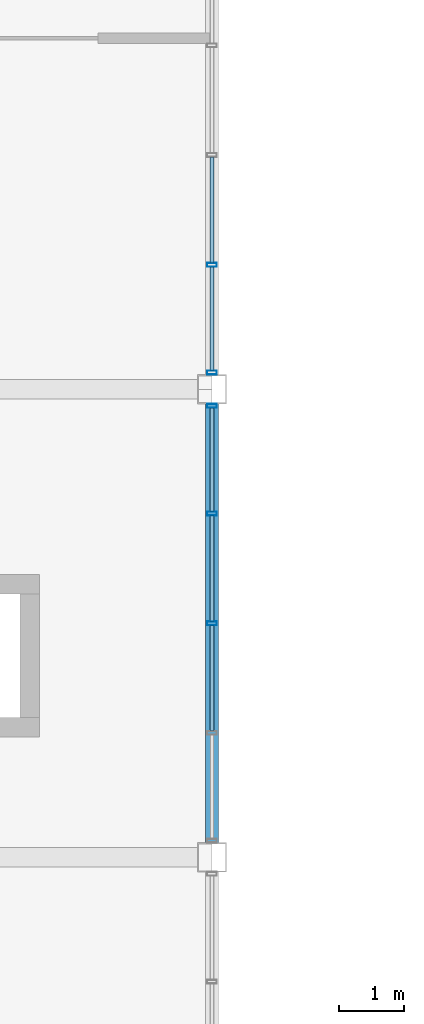
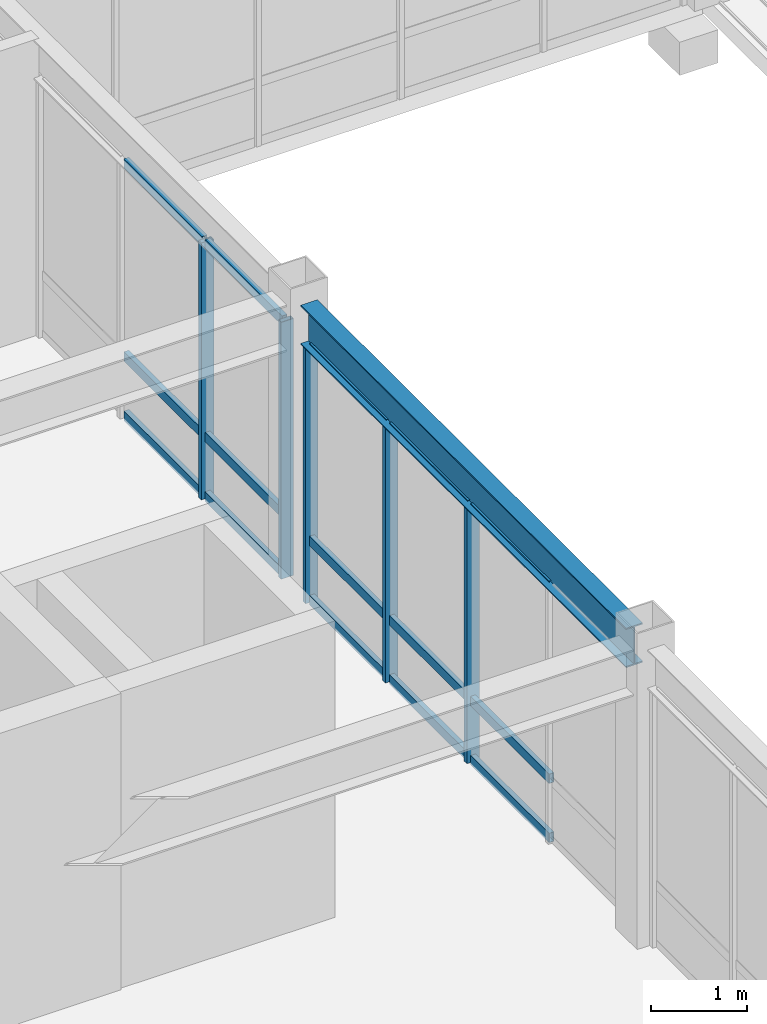
# One storey, part 18 of 122: 20 members, 1 beam, 2 elements without a shape of their own.
"""IFC4 building model written with IfcOpenShell, lengths in metres."""

from ifc_helpers import new_model, si_unit, direction, frame, origin, origin_2d, place, context, subcontext, project, spatial, hollow_rectangle, i_section, extrude, material, material_profile, profile_set, type_object, element, aggregate, save


model = new_model("IFC4")

# Units and contexts
model_context = context("Model", 3, precision=1e-05, world=origin(), true_north=direction((0.0, 1.0)))
body_context = subcontext(model_context, "Body", "Model", "MODEL_VIEW")
ifc_project = project(units=[si_unit("LENGTHUNIT", "METRE"), si_unit("AREAUNIT", "SQUARE_METRE"), si_unit("VOLUMEUNIT", "CUBIC_METRE"), si_unit("PLANEANGLEUNIT", "RADIAN"), si_unit("MASSUNIT", "GRAM", prefix="KILO")], contexts=[model_context])

# Site, building, storey
site_placement = place(None, origin())
site = spatial("IfcSite", under=ifc_project, at=site_placement, CompositionType="ELEMENT")
building_placement = place(site_placement, origin())
building = spatial("IfcBuilding", under=site, at=building_placement, Name="Kazanami Central Library", CompositionType="ELEMENT")
storey_placement = place(building_placement, frame((0.0, 0.0, 4.800048828125)))
storey = spatial("IfcBuildingStorey", under=building, at=storey_placement, Name="L02", CompositionType="ELEMENT", Elevation=4.800048828125)

# Beam
ifc_material_1 = material(Name="Steel SN490B (325 MPa)", Category="steel")
ifc_material_profile_1 = material_profile(ifc_material_1, i_section(OverallWidth=0.199951171875, OverallDepth=0.5, WebThickness=0.010009765625, FlangeThickness=0.01611328125, at=origin_2d()), Name="H-500x200x10x16")
ifc_profile_set_1 = profile_set([ifc_material_profile_1], Name="Steel SN490B (325 MPa)")
beam_type = type_object("IfcBeamType", Name="BM-SP-1", PredefinedType="SPANDREL", material=ifc_profile_set_1)
beam_placement = place(storey_placement, frame((36.0, 7.423095703125, 3.5048828125), z_axis=(0.0, 1.0, 0.0), x_axis=(-1.0, 0.0, 0.0)))
element("IfcBeam", 1, at=beam_placement, inside=storey, type_object=beam_type, Name="Girder SP-1 L02 5/B-C", PredefinedType="SPANDREL", context=body_context, shape_type="SweptSolid", body=[
    extrude(i_section(OverallWidth=0.199951171875, OverallDepth=0.5, WebThickness=0.010009765625, FlangeThickness=0.01611328125, at=origin_2d()), origin(), (0.0, 0.0, 1.0), 6.75390625),
])

# Curtain wall, members
ifc_material_2 = material(Name="Acid-Etched Low-E Laminated Glass", Category="glass")
curtain_wall_type = type_object("IfcCurtainWallType", Name="CW-6750x3255-M180", PredefinedType="USERDEFINED", material=ifc_material_2)
curtain_wall_1_placement = place(storey_placement, origin())
curtain_wall_1 = element("IfcCurtainWall", 2, at=curtain_wall_1_placement, inside=storey, type_object=curtain_wall_type, Name="Covered Link Bridge Curtain Wall CW-21 L02 E-5-01", ObjectType="UNITISED CURTAIN WALL", PredefinedType="USERDEFINED")
ifc_material_3 = material(Name="Anodised Aluminium A6063-T5", Category="aluminium")
ifc_material_profile_2 = material_profile(ifc_material_3, hollow_rectangle(XDim=0.06005859375, YDim=0.14990234375, WallThickness=0.00390625, at=origin_2d()), Name="ALU-MULL-60x150x4")
ifc_profile_set_2 = profile_set([ifc_material_profile_2], Name="Anodised Aluminium A6063-T5")
member_type_1 = type_object("IfcMemberType", Name="MEM-CW-M3", PredefinedType="MULLION", material=ifc_profile_set_2)
member_1_placement = place(storey_placement, frame((36.0, 14.14501953125, 0.0), z_axis=(0.0, 0.0, 1.0), x_axis=(0.0, -1.0, 0.0)))
member_1 = element("IfcMember", 3, at=member_1_placement, type_object=member_type_1, Name="CW-21 mullion 1", PredefinedType="MULLION", context=body_context, shape_type="SweptSolid", body=[
    extrude(hollow_rectangle(XDim=0.06005859375, YDim=0.14990234375, WallThickness=0.00390625, at=origin_2d()), origin(), (0.0, 0.0, 1.0), 3.2548828125),
])
member_2_placement = place(storey_placement, frame((36.0, 12.487548828125, 0.0), z_axis=(0.0, 0.0, 1.0), x_axis=(0.0, -1.0, 0.0)))
member_2 = element("IfcMember", 4, at=member_2_placement, type_object=member_type_1, Name="CW-21 mullion 2", PredefinedType="MULLION", context=body_context, shape_type="SweptSolid", body=[
    extrude(hollow_rectangle(XDim=0.06005859375, YDim=0.14990234375, WallThickness=0.00390625, at=origin_2d()), origin(), (0.0, 0.0, 1.0), 3.2548828125),
])
member_3_placement = place(storey_placement, frame((36.0, 10.800048828125, 0.0), z_axis=(0.0, 0.0, 1.0), x_axis=(0.0, -1.0, 0.0)))
member_3 = element("IfcMember", 5, at=member_3_placement, type_object=member_type_1, Name="CW-21 mullion 3", PredefinedType="MULLION", context=body_context, shape_type="SweptSolid", body=[
    extrude(hollow_rectangle(XDim=0.06005859375, YDim=0.14990234375, WallThickness=0.00390625, at=origin_2d()), origin(), (0.0, 0.0, 1.0), 3.2548828125),
])

curtain_wall_2_placement = place(storey_placement, origin())
curtain_wall_2 = element("IfcCurtainWall", 6, at=curtain_wall_2_placement, inside=storey, type_object=curtain_wall_type, Name="Covered Link Bridge Curtain Wall CW-21 L02 E-5-02", ObjectType="UNITISED CURTAIN WALL", PredefinedType="USERDEFINED")
member_4_placement = place(storey_placement, frame((36.0, 16.3125, 0.0), z_axis=(0.0, 0.0, 1.0), x_axis=(0.0, -1.0, 0.0)))
member_4 = element("IfcMember", 7, at=member_4_placement, type_object=member_type_1, Name="CW-21 mullion 4", PredefinedType="MULLION", context=body_context, shape_type="SweptSolid", body=[
    extrude(hollow_rectangle(XDim=0.06005859375, YDim=0.14990234375, WallThickness=0.00390625, at=origin_2d()), origin(), (0.0, 0.0, 1.0), 3.2548828125),
])
member_5_placement = place(storey_placement, frame((36.0, 14.655029296875, 0.0), z_axis=(0.0, 0.0, 1.0), x_axis=(0.0, -1.0, 0.0)))
member_5 = element("IfcMember", 8, at=member_5_placement, type_object=member_type_1, Name="CW-21 mullion 5", PredefinedType="MULLION", context=body_context, shape_type="SweptSolid", body=[
    extrude(hollow_rectangle(XDim=0.06005859375, YDim=0.14990234375, WallThickness=0.00390625, at=origin_2d()), origin(), (0.0, 0.0, 1.0), 3.2548828125),
])

# Member
ifc_material_profile_3 = material_profile(ifc_material_3, hollow_rectangle(XDim=0.06005859375, YDim=0.1201171875, WallThickness=0.00341796875, at=origin_2d()), Name="ALU-TRAN-60x120x3.5")
ifc_profile_set_3 = profile_set([ifc_material_profile_3], Name="Anodised Aluminium A6063-T5")
member_type_2 = type_object("IfcMemberType", Name="MEM-CW-T3", PredefinedType="USERDEFINED", material=ifc_profile_set_3)
member_6_placement = place(storey_placement, frame((36.0, 14.114990234375, 0.030029296875), z_axis=(0.0, -1.0, 0.0), x_axis=(1.0, 0.0, 0.0)))
member_6 = element("IfcMember", 9, at=member_6_placement, type_object=member_type_2, Name="CW-21 transom 1.1", ObjectType="TRANSOM", PredefinedType="USERDEFINED", context=body_context, shape_type="SweptSolid", body=[
    extrude(hollow_rectangle(XDim=0.06005859375, YDim=0.1201171875, WallThickness=0.00341796875, at=origin_2d()), origin(), (0.0, 0.0, 1.0), 1.597412109375),
])

member_7_placement = place(storey_placement, frame((36.0, 14.114990234375, 0.780029296875), z_axis=(0.0, -1.0, 0.0), x_axis=(1.0, 0.0, 0.0)))
member_7 = element("IfcMember", 10, at=member_7_placement, type_object=member_type_2, Name="CW-21 transom 1.2", ObjectType="TRANSOM", PredefinedType="USERDEFINED", context=body_context, shape_type="SweptSolid", body=[
    extrude(hollow_rectangle(XDim=0.06005859375, YDim=0.1201171875, WallThickness=0.00341796875, at=origin_2d()), origin(), (0.0, 0.0, 1.0), 1.597412109375),
])

member_8_placement = place(storey_placement, frame((36.0, 14.114990234375, 3.224853515625), z_axis=(0.0, -1.0, 0.0), x_axis=(1.0, 0.0, 0.0)))
member_8 = element("IfcMember", 11, at=member_8_placement, type_object=member_type_2, Name="CW-21 transom 1.3", ObjectType="TRANSOM", PredefinedType="USERDEFINED", context=body_context, shape_type="SweptSolid", body=[
    extrude(hollow_rectangle(XDim=0.06005859375, YDim=0.1201171875, WallThickness=0.00341796875, at=origin_2d()), origin(), (0.0, 0.0, 1.0), 1.597412109375),
])

member_9_placement = place(storey_placement, frame((36.0, 12.45751953125, 0.030029296875), z_axis=(0.0, -1.0, 0.0), x_axis=(1.0, 0.0, 0.0)))
member_9 = element("IfcMember", 12, at=member_9_placement, type_object=member_type_2, Name="CW-21 transom 2.1", ObjectType="TRANSOM", PredefinedType="USERDEFINED", context=body_context, shape_type="SweptSolid", body=[
    extrude(hollow_rectangle(XDim=0.06005859375, YDim=0.1201171875, WallThickness=0.00341796875, at=origin_2d()), origin(), (0.0, 0.0, 1.0), 1.62744140625),
])

member_10_placement = place(storey_placement, frame((36.0, 12.45751953125, 0.780029296875), z_axis=(0.0, -1.0, 0.0), x_axis=(1.0, 0.0, 0.0)))
member_10 = element("IfcMember", 13, at=member_10_placement, type_object=member_type_2, Name="CW-21 transom 2.2", ObjectType="TRANSOM", PredefinedType="USERDEFINED", context=body_context, shape_type="SweptSolid", body=[
    extrude(hollow_rectangle(XDim=0.06005859375, YDim=0.1201171875, WallThickness=0.00341796875, at=origin_2d()), origin(), (0.0, 0.0, 1.0), 1.62744140625),
])

member_11_placement = place(storey_placement, frame((36.0, 12.45751953125, 3.224853515625), z_axis=(0.0, -1.0, 0.0), x_axis=(1.0, 0.0, 0.0)))
member_11 = element("IfcMember", 14, at=member_11_placement, type_object=member_type_2, Name="CW-21 transom 2.3", ObjectType="TRANSOM", PredefinedType="USERDEFINED", context=body_context, shape_type="SweptSolid", body=[
    extrude(hollow_rectangle(XDim=0.06005859375, YDim=0.1201171875, WallThickness=0.00341796875, at=origin_2d()), origin(), (0.0, 0.0, 1.0), 1.62744140625),
])

member_12_placement = place(storey_placement, frame((36.0, 10.77001953125, 0.030029296875), z_axis=(0.0, -1.0, 0.0), x_axis=(1.0, 0.0, 0.0)))
member_12 = element("IfcMember", 15, at=member_12_placement, type_object=member_type_2, Name="CW-21 transom 3.1", ObjectType="TRANSOM", PredefinedType="USERDEFINED", context=body_context, shape_type="SweptSolid", body=[
    extrude(hollow_rectangle(XDim=0.06005859375, YDim=0.1201171875, WallThickness=0.00341796875, at=origin_2d()), origin(), (0.0, 0.0, 1.0), 1.62744140625),
])

member_13_placement = place(storey_placement, frame((36.0, 10.77001953125, 0.780029296875), z_axis=(0.0, -1.0, 0.0), x_axis=(1.0, 0.0, 0.0)))
member_13 = element("IfcMember", 16, at=member_13_placement, type_object=member_type_2, Name="CW-21 transom 3.2", ObjectType="TRANSOM", PredefinedType="USERDEFINED", context=body_context, shape_type="SweptSolid", body=[
    extrude(hollow_rectangle(XDim=0.06005859375, YDim=0.1201171875, WallThickness=0.00341796875, at=origin_2d()), origin(), (0.0, 0.0, 1.0), 1.62744140625),
])

member_14_placement = place(storey_placement, frame((36.0, 10.77001953125, 3.224853515625), z_axis=(0.0, -1.0, 0.0), x_axis=(1.0, 0.0, 0.0)))
member_14 = element("IfcMember", 17, at=member_14_placement, type_object=member_type_2, Name="CW-21 transom 3.3", ObjectType="TRANSOM", PredefinedType="USERDEFINED", context=body_context, shape_type="SweptSolid", body=[
    extrude(hollow_rectangle(XDim=0.06005859375, YDim=0.1201171875, WallThickness=0.00341796875, at=origin_2d()), origin(), (0.0, 0.0, 1.0), 1.62744140625),
])

aggregate(curtain_wall_1, [member_1, member_2, member_3, member_6, member_7, member_8, member_9, member_10, member_11, member_12, member_13, member_14])

member_15_placement = place(storey_placement, frame((36.0, 17.969970703125, 0.030029296875), z_axis=(0.0, -1.0, 0.0), x_axis=(1.0, 0.0, 0.0)))
member_15 = element("IfcMember", 18, at=member_15_placement, type_object=member_type_2, Name="CW-21 transom 3.1", ObjectType="TRANSOM", PredefinedType="USERDEFINED", context=body_context, shape_type="SweptSolid", body=[
    extrude(hollow_rectangle(XDim=0.06005859375, YDim=0.1201171875, WallThickness=0.00341796875, at=origin_2d()), origin(), (0.0, 0.0, 1.0), 1.62744140625),
])

member_16_placement = place(storey_placement, frame((36.0, 17.969970703125, 0.780029296875), z_axis=(0.0, -1.0, 0.0), x_axis=(1.0, 0.0, 0.0)))
member_16 = element("IfcMember", 19, at=member_16_placement, type_object=member_type_2, Name="CW-21 transom 3.2", ObjectType="TRANSOM", PredefinedType="USERDEFINED", context=body_context, shape_type="SweptSolid", body=[
    extrude(hollow_rectangle(XDim=0.06005859375, YDim=0.1201171875, WallThickness=0.00341796875, at=origin_2d()), origin(), (0.0, 0.0, 1.0), 1.62744140625),
])

member_17_placement = place(storey_placement, frame((36.0, 17.969970703125, 3.224853515625), z_axis=(0.0, -1.0, 0.0), x_axis=(1.0, 0.0, 0.0)))
member_17 = element("IfcMember", 20, at=member_17_placement, type_object=member_type_2, Name="CW-21 transom 3.3", ObjectType="TRANSOM", PredefinedType="USERDEFINED", context=body_context, shape_type="SweptSolid", body=[
    extrude(hollow_rectangle(XDim=0.06005859375, YDim=0.1201171875, WallThickness=0.00341796875, at=origin_2d()), origin(), (0.0, 0.0, 1.0), 1.62744140625),
])

member_18_placement = place(storey_placement, frame((36.0, 16.282470703125, 0.030029296875), z_axis=(0.0, -1.0, 0.0), x_axis=(1.0, 0.0, 0.0)))
member_18 = element("IfcMember", 21, at=member_18_placement, type_object=member_type_2, Name="CW-21 transom 4.1", ObjectType="TRANSOM", PredefinedType="USERDEFINED", context=body_context, shape_type="SweptSolid", body=[
    extrude(hollow_rectangle(XDim=0.06005859375, YDim=0.1201171875, WallThickness=0.00341796875, at=origin_2d()), origin(), (0.0, 0.0, 1.0), 1.597412109375),
])

member_19_placement = place(storey_placement, frame((36.0, 16.282470703125, 0.780029296875), z_axis=(0.0, -1.0, 0.0), x_axis=(1.0, 0.0, 0.0)))
member_19 = element("IfcMember", 22, at=member_19_placement, type_object=member_type_2, Name="CW-21 transom 4.2", ObjectType="TRANSOM", PredefinedType="USERDEFINED", context=body_context, shape_type="SweptSolid", body=[
    extrude(hollow_rectangle(XDim=0.06005859375, YDim=0.1201171875, WallThickness=0.00341796875, at=origin_2d()), origin(), (0.0, 0.0, 1.0), 1.597412109375),
])

member_20_placement = place(storey_placement, frame((36.0, 16.282470703125, 3.224853515625), z_axis=(0.0, -1.0, 0.0), x_axis=(1.0, 0.0, 0.0)))
member_20 = element("IfcMember", 23, at=member_20_placement, type_object=member_type_2, Name="CW-21 transom 4.3", ObjectType="TRANSOM", PredefinedType="USERDEFINED", context=body_context, shape_type="SweptSolid", body=[
    extrude(hollow_rectangle(XDim=0.06005859375, YDim=0.1201171875, WallThickness=0.00341796875, at=origin_2d()), origin(), (0.0, 0.0, 1.0), 1.597412109375),
])

aggregate(curtain_wall_2, [member_4, member_5, member_15, member_16, member_17, member_18, member_19, member_20])

save(model, "model.ifc")
